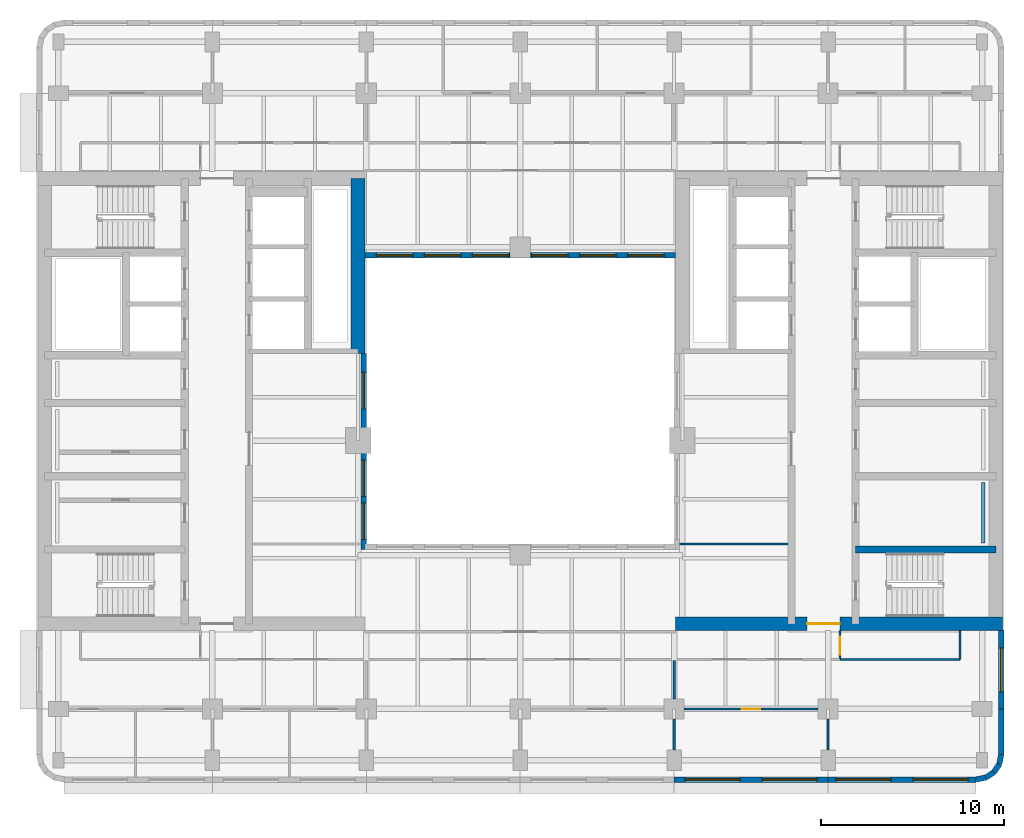
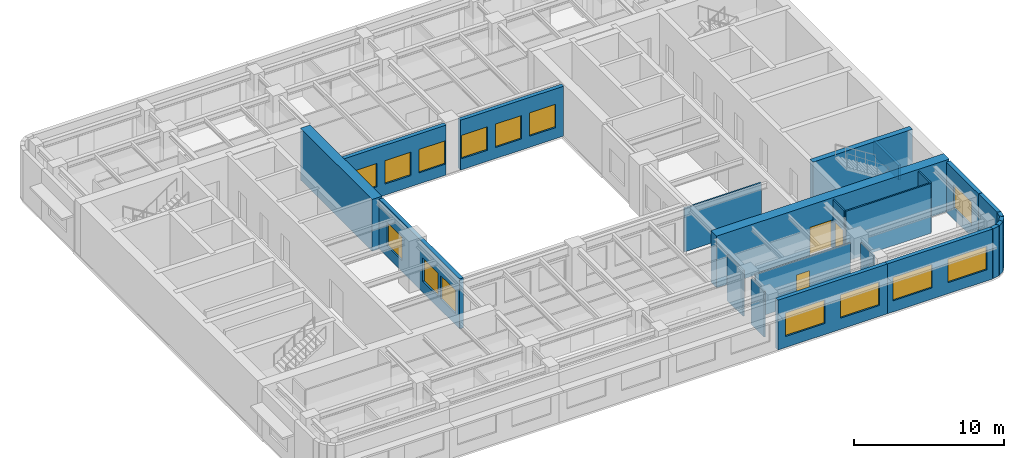
# One storey, part 5 of 11: 23 walls, 14 windows, 3 doors, 17 openings.
"""IFC4 building model written with IfcOpenShell, lengths in metres."""

from ifc_helpers import new_model, si_unit, direction, frame, frame_2d, origin, place, context, subcontext, project, spatial, rectangle, extrude, material, layer, layer_set, type_object, element, fill, save


model = new_model("IFC4")

# Units and contexts
model_context = context("Model", 3, precision=1e-05, world=origin(), true_north=direction((0.0, 1.0)))
body_context = subcontext(model_context, "Body", "Model", "MODEL_VIEW")
ifc_project = project(units=[si_unit("LENGTHUNIT", "METRE"), si_unit("AREAUNIT", "SQUARE_METRE"), si_unit("VOLUMEUNIT", "CUBIC_METRE"), si_unit("PLANEANGLEUNIT", "RADIAN"), si_unit("MASSUNIT", "GRAM", prefix="KILO")], contexts=[model_context])

# Site, building, storey
site_placement = place(None, origin())
site = spatial("IfcSite", under=ifc_project, at=site_placement, CompositionType="ELEMENT")
building_placement = place(site_placement, origin())
building = spatial("IfcBuilding", under=site, at=building_placement, Name="Claustro Exchange Tower", CompositionType="ELEMENT")
storey_placement = place(building_placement, frame((0.0, 0.0, 207.0)))
storey = spatial("IfcBuildingStorey", under=building, at=storey_placement, Name="L47", CompositionType="ELEMENT", Elevation=207.0)

# Wall
ifc_material_1 = material(Name="Laminated glass in aluminium frame", Category="aluminium")
ifc_layer_1 = layer(ifc_material_1, 0.1201171875)
ifc_layer_set_1 = layer_set([ifc_layer_1], Name="Laminated glass in aluminium frame")
wall_type_1 = type_object("IfcWallType", Name="P2 120 glazed partition", PredefinedType="PARTITIONING", material=ifc_layer_set_1)
wall_1_placement = place(storey_placement, frame((33.89794921875, 17.39990234375, 0.0), z_axis=(0.0, 0.0, 1.0), x_axis=(1.0, 0.0, 0.0)))
element("IfcWall", 1, at=wall_1_placement, inside=storey, type_object=wall_type_1, Name="Partition P2 L47", PredefinedType="PARTITIONING", context=body_context, shape_type="SweptSolid", body=[
    extrude(rectangle(XDim=5.904052734375, YDim=0.1201171875, at=frame_2d((2.9521484375, 0.0))), origin(), (0.0, 0.0, 1.0), 3.550048828125),
])

# Wall, opening, door
wall_2_placement = place(storey_placement, frame((34.14892578125, 8.39990234375, 0.0), z_axis=(0.0, 0.0, 1.0), x_axis=(1.0, 0.0, 0.0)))
wall_2 = element("IfcWall", 2, at=wall_2_placement, inside=storey, type_object=wall_type_1, Name="Partition P2 L47", PredefinedType="PARTITIONING", context=body_context, shape_type="SweptSolid", body=[
    extrude(rectangle(XDim=7.302001953125, YDim=0.1201171875, at=frame_2d((3.65087890625, 0.0))), origin(), (0.0, 0.0, 1.0), 3.550048828125),
])
opening_1_placement = place(wall_2_placement, frame((3.15087890625, 0.0, 0.0)))
opening_1 = element("IfcOpeningElement", 3, at=opening_1_placement, cuts=wall_2, Name="Opening D7", PredefinedType="OPENING", context=body_context, shape_type="SweptSolid", body=[
    extrude(rectangle(XDim=1.0, YDim=2.39990234375, at=frame_2d((0.5, 1.199951171875))), frame((0.0, 0.070068359375, 0.0), z_axis=(0.0, -1.0, 0.0), x_axis=(1.0, 0.0, 0.0)), (0.0, 0.0, 1.0), 0.14013671875),
])
ifc_material_2 = material(Name="Glass door in aluminium frame", Category="aluminium")
door_type_1 = type_object("IfcDoorType", Name="D7 1000 x 2400 glazed door", OperationType="SINGLE_SWING_LEFT", PredefinedType="DOOR", material=ifc_material_2)
door_1_placement = place(opening_1_placement, frame((1.0, 0.0, 0.0), z_axis=(0.0, 0.0, 1.0), x_axis=(-1.0, 0.0, 0.0)))
door_1 = element("IfcDoor", 4, at=door_1_placement, inside=storey, type_object=door_type_1, Name="Door D7 L47", OperationType="SINGLE_SWING_RIGHT", OverallHeight=2.39990234375, OverallWidth=1.0, PredefinedType="DOOR", context=body_context, shape_type="SweptSolid", body=[
    extrude(rectangle(XDim=1.0, YDim=2.39990234375, at=frame_2d((0.5, 1.199951171875))), frame((0.0, 0.02490234375, 0.0), z_axis=(0.0, -1.0, 0.0), x_axis=(1.0, 0.0, 0.0)), (0.0, 0.0, 1.0), 0.050048828125),
])
fill(opening_1, door_1)

# Walls
for number, where, z_axis, x_axis, name in (
    (5, (33.60009765625, 6.14892578125, 0.0), (0.0, 0.0, 1.0), (0.0, 1.0, 0.0), "Partition P2 L47"),
    (6, (42.0, 6.14892578125, 0.0), (0.0, 0.0, 1.0), (0.0, 1.0, 0.0), "Partition P2 L47"),
):
    element("IfcWall", number, at=place(storey_placement, frame(where, z_axis=z_axis, x_axis=x_axis)), inside=storey, type_object=wall_type_1, Name=name, PredefinedType="PARTITIONING", context=body_context, shape_type="SweptSolid", body=[
        extrude(rectangle(XDim=1.7021484375, YDim=0.1201171875, at=frame_2d((0.85107421875, 0.0))), origin(), (0.0, 0.0, 1.0), 3.68994140625),
    ])
wall_3_placement = place(storey_placement, frame((33.60009765625, 8.948974609375, 0.0), z_axis=(0.0, 0.0, 1.0), x_axis=(0.0, 1.0, 0.0)))
element("IfcWall", 7, at=wall_3_placement, inside=storey, type_object=wall_type_1, Name="Partition P2 L47", PredefinedType="PARTITIONING", context=body_context, shape_type="SweptSolid", body=[
    extrude(rectangle(XDim=2.093017578125, YDim=0.1201171875, at=frame_2d((1.04638671875, 0.0))), origin(), (0.0, 0.0, 1.0), 3.68994140625),
])

# Wall, opening, door
wall_4_placement = place(storey_placement, frame((42.64990234375, 11.157958984375, 0.0), z_axis=(0.0, 0.0, 1.0), x_axis=(0.0, 1.0, 0.0)))
wall_4 = element("IfcWall", 8, at=wall_4_placement, inside=storey, type_object=wall_type_1, Name="Partition P2 L47", PredefinedType="PARTITIONING", context=body_context, shape_type="SweptSolid", body=[
    extrude(rectangle(XDim=1.51806640625, YDim=0.1201171875, at=frame_2d((0.759033203125, 0.0))), origin(), (0.0, 0.0, 1.0), 4.050048828125),
])
opening_2_placement = place(wall_4_placement, frame((0.19189453125, 0.0, 0.0)))
opening_2 = element("IfcOpeningElement", 9, at=opening_2_placement, cuts=wall_4, Name="Opening D7", PredefinedType="OPENING", context=body_context, shape_type="SweptSolid", body=[
    extrude(rectangle(XDim=1.0, YDim=2.39990234375, at=frame_2d((0.5, 1.199951171875))), frame((0.0, 0.070068359375, 0.0), z_axis=(0.0, -1.0, 0.0), x_axis=(1.0, 0.0, 0.0)), (0.0, 0.0, 1.0), 0.14013671875),
])
door_2_placement = place(opening_2_placement, frame((1.0, 0.0, 0.0), z_axis=(0.0, 0.0, 1.0), x_axis=(-1.0, 0.0, 0.0)))
door_2 = element("IfcDoor", 10, at=door_2_placement, inside=storey, type_object=door_type_1, Name="Door D7 L47", OperationType="SINGLE_SWING_RIGHT", OverallHeight=2.39990234375, OverallWidth=1.0, PredefinedType="DOOR", context=body_context, shape_type="SweptSolid", body=[
    extrude(rectangle(XDim=1.0, YDim=2.39990234375, at=frame_2d((0.5, 1.199951171875))), frame((0.0, 0.02490234375, 0.0), z_axis=(0.0, -1.0, 0.0), x_axis=(1.0, 0.0, 0.0)), (0.0, 0.0, 1.0), 0.050048828125),
])
fill(opening_2, door_2)

# Walls
wall_5_placement = place(storey_placement, frame((42.64794921875, 11.10009765625, 0.0), z_axis=(0.0, 0.0, 1.0), x_axis=(1.0, 0.0, 0.0)))
element("IfcWall", 11, at=wall_5_placement, inside=storey, type_object=wall_type_1, Name="Partition P2 L47", PredefinedType="PARTITIONING", context=body_context, shape_type="SweptSolid", body=[
    extrude(rectangle(XDim=6.552001953125, YDim=0.1201171875, at=frame_2d((3.27587890625, 0.0))), origin(), (0.0, 0.0, 1.0), 4.050048828125),
])
wall_6_placement = place(storey_placement, frame((49.199951171875, 11.10009765625, 0.0), z_axis=(0.0, 0.0, 1.0), x_axis=(0.0, 1.0, 0.0)))
element("IfcWall", 12, at=wall_6_placement, inside=storey, type_object=wall_type_1, Name="Partition P2 L47", PredefinedType="PARTITIONING", context=body_context, shape_type="SweptSolid", body=[
    extrude(rectangle(XDim=1.575927734375, YDim=0.1201171875, at=frame_2d((0.7880859375, 0.0))), origin(), (0.0, 0.0, 1.0), 4.050048828125),
])

# Wall, openings, windows
ifc_material_3 = material(Name="Concrete HA-40 (C40/50), precast, white cement, acid-etched", Category="concrete")
ifc_layer_2 = layer(ifc_material_3, 0.300048828125)
ifc_layer_set_2 = layer_set([ifc_layer_2], Name="Concrete HA-40 (C40/50), precast, white cement, acid-etched")
wall_type_2 = type_object("IfcWallType", Name="PC1 300 precast concrete pier panel", PredefinedType="SOLIDWALL", material=ifc_layer_set_2)
wall_7_placement = place(storey_placement, frame((50.085205078125, 4.550048828125, 0.0), z_axis=(0.0, 0.0, 1.0), x_axis=(-1.0, 0.0, 0.0)))
wall_7 = element("IfcWall", 13, at=wall_7_placement, inside=storey, type_object=wall_type_2, Name="Precast pier panel PC1 L47", PredefinedType="SOLIDWALL", context=body_context, shape_type="SweptSolid", body=[
    extrude(rectangle(XDim=8.085205078125, YDim=0.300048828125, at=frame_2d((4.04248046875, 0.0))), origin(), (0.0, 0.0, 1.0), 4.050048828125),
])
opening_3_placement = place(wall_7_placement, frame((0.442626953125, 0.0, 0.89990234375)))
opening_3 = element("IfcOpeningElement", 14, at=opening_3_placement, cuts=wall_7, Name="Opening W1", PredefinedType="OPENING", context=body_context, shape_type="SweptSolid", body=[
    extrude(rectangle(XDim=3.0, YDim=1.89990234375, at=frame_2d((1.5, 0.949951171875))), frame((0.0, 0.159912109375, 0.0), z_axis=(0.0, -1.0, 0.0), x_axis=(1.0, 0.0, 0.0)), (0.0, 0.0, 1.0), 0.320068359375),
])
opening_4_placement = place(wall_7_placement, frame((4.642578125, 0.0, 0.89990234375)))
opening_4 = element("IfcOpeningElement", 15, at=opening_4_placement, cuts=wall_7, Name="Opening W1", PredefinedType="OPENING", context=body_context, shape_type="SweptSolid", body=[
    extrude(rectangle(XDim=3.0, YDim=1.89990234375, at=frame_2d((1.5, 0.949951171875))), frame((0.0, 0.159912109375, 0.0), z_axis=(0.0, -1.0, 0.0), x_axis=(1.0, 0.0, 0.0)), (0.0, 0.0, 1.0), 0.320068359375),
])
ifc_material_4 = material(Name="Aluminium frame, clear double glazing", Category="aluminium")
window_type_1 = type_object("IfcWindowType", Name="W1 3000 x 1900 window", PartitioningType="SINGLE_PANEL", PredefinedType="WINDOW", material=ifc_material_4)
window_1_placement = place(opening_3_placement, origin())
window_1 = element("IfcWindow", 16, at=window_1_placement, inside=storey, type_object=window_type_1, Name="Window W1 L47", OverallHeight=1.89990234375, OverallWidth=3.0, PartitioningType="SINGLE_PANEL", PredefinedType="WINDOW", context=body_context, shape_type="SweptSolid", body=[
    extrude(rectangle(XDim=3.0, YDim=1.89990234375, at=frame_2d((1.5, 0.949951171875))), frame((0.0, 0.030029296875, 0.0), z_axis=(0.0, -1.0, 0.0), x_axis=(1.0, 0.0, 0.0)), (0.0, 0.0, 1.0), 0.06005859375),
])
fill(opening_3, window_1)
window_2_placement = place(opening_4_placement, origin())
window_2 = element("IfcWindow", 17, at=window_2_placement, inside=storey, type_object=window_type_1, Name="Window W1 L47", OverallHeight=1.89990234375, OverallWidth=3.0, PartitioningType="SINGLE_PANEL", PredefinedType="WINDOW", context=body_context, shape_type="SweptSolid", body=[
    extrude(rectangle(XDim=3.0, YDim=1.89990234375, at=frame_2d((1.5, 0.949951171875))), frame((0.0, 0.030029296875, 0.0), z_axis=(0.0, -1.0, 0.0), x_axis=(1.0, 0.0, 0.0)), (0.0, 0.0, 1.0), 0.06005859375),
])
fill(opening_4, window_2)

wall_8_placement = place(storey_placement, frame((42.0, 4.550048828125, 0.0), z_axis=(0.0, 0.0, 1.0), x_axis=(-1.0, 0.0, 0.0)))
wall_8 = element("IfcWall", 18, at=wall_8_placement, inside=storey, type_object=wall_type_2, Name="Precast pier panel PC1 L47", PredefinedType="SOLIDWALL", context=body_context, shape_type="SweptSolid", body=[
    extrude(rectangle(XDim=8.39990234375, YDim=0.300048828125, at=frame_2d((4.199951171875, 0.0))), origin(), (0.0, 0.0, 1.0), 4.050048828125),
])
opening_5_placement = place(wall_8_placement, frame((0.60009765625, 0.0, 0.89990234375)))
opening_5 = element("IfcOpeningElement", 19, at=opening_5_placement, cuts=wall_8, Name="Opening W1", PredefinedType="OPENING", context=body_context, shape_type="SweptSolid", body=[
    extrude(rectangle(XDim=3.0, YDim=1.89990234375, at=frame_2d((1.5, 0.949951171875))), frame((0.0, 0.159912109375, 0.0), z_axis=(0.0, -1.0, 0.0), x_axis=(1.0, 0.0, 0.0)), (0.0, 0.0, 1.0), 0.320068359375),
])
opening_6_placement = place(wall_8_placement, frame((4.800048828125, 0.0, 0.89990234375)))
opening_6 = element("IfcOpeningElement", 20, at=opening_6_placement, cuts=wall_8, Name="Opening W1", PredefinedType="OPENING", context=body_context, shape_type="SweptSolid", body=[
    extrude(rectangle(XDim=3.0, YDim=1.89990234375, at=frame_2d((1.5, 0.949951171875))), frame((0.0, 0.159912109375, 0.0), z_axis=(0.0, -1.0, 0.0), x_axis=(1.0, 0.0, 0.0)), (0.0, 0.0, 1.0), 0.320068359375),
])
window_3_placement = place(opening_5_placement, origin())
window_3 = element("IfcWindow", 21, at=window_3_placement, inside=storey, type_object=window_type_1, Name="Window W1 L47", OverallHeight=1.89990234375, OverallWidth=3.0, PartitioningType="SINGLE_PANEL", PredefinedType="WINDOW", context=body_context, shape_type="SweptSolid", body=[
    extrude(rectangle(XDim=3.0, YDim=1.89990234375, at=frame_2d((1.5, 0.949951171875))), frame((0.0, 0.030029296875, 0.0), z_axis=(0.0, -1.0, 0.0), x_axis=(1.0, 0.0, 0.0)), (0.0, 0.0, 1.0), 0.06005859375),
])
fill(opening_5, window_3)
window_4_placement = place(opening_6_placement, origin())
window_4 = element("IfcWindow", 22, at=window_4_placement, inside=storey, type_object=window_type_1, Name="Window W1 L47", OverallHeight=1.89990234375, OverallWidth=3.0, PartitioningType="SINGLE_PANEL", PredefinedType="WINDOW", context=body_context, shape_type="SweptSolid", body=[
    extrude(rectangle(XDim=3.0, YDim=1.89990234375, at=frame_2d((1.5, 0.949951171875))), frame((0.0, 0.030029296875, 0.0), z_axis=(0.0, -1.0, 0.0), x_axis=(1.0, 0.0, 0.0)), (0.0, 0.0, 1.0), 0.06005859375),
])
fill(opening_6, window_4)

# Wall, opening, window
wall_9_placement = place(storey_placement, frame((51.449951171875, 12.675048828125, 0.0), z_axis=(0.0, 0.0, 1.0), x_axis=(0.0, -1.0, 0.0)))
wall_9 = element("IfcWall", 23, at=wall_9_placement, inside=storey, type_object=wall_type_2, Name="Precast pier panel PC1 L47", PredefinedType="SOLIDWALL", context=body_context, shape_type="SweptSolid", body=[
    extrude(rectangle(XDim=4.275146484375, YDim=0.300048828125, at=frame_2d((2.1376953125, 0.0))), origin(), (0.0, 0.0, 1.0), 4.050048828125),
])
opening_7_placement = place(wall_9_placement, frame((0.9375, 0.0, 0.89990234375)))
opening_7 = element("IfcOpeningElement", 24, at=opening_7_placement, cuts=wall_9, Name="Opening W2", PredefinedType="OPENING", context=body_context, shape_type="SweptSolid", body=[
    extrude(rectangle(XDim=2.39990234375, YDim=1.89990234375, at=frame_2d((1.199951171875, 0.949951171875))), frame((0.0, 0.159912109375, 0.0), z_axis=(0.0, -1.0, 0.0), x_axis=(1.0, 0.0, 0.0)), (0.0, 0.0, 1.0), 0.320068359375),
])
ifc_material_5 = material(Name="Aluminium frame, clear double glazing", Category="aluminium")
window_type_2 = type_object("IfcWindowType", Name="W2 2400 x 1900 window", PartitioningType="SINGLE_PANEL", PredefinedType="WINDOW", material=ifc_material_5)
window_5_placement = place(opening_7_placement, origin())
window_5 = element("IfcWindow", 25, at=window_5_placement, inside=storey, type_object=window_type_2, Name="Window W2 L47", OverallHeight=1.89990234375, OverallWidth=2.39990234375, PartitioningType="SINGLE_PANEL", PredefinedType="WINDOW", context=body_context, shape_type="SweptSolid", body=[
    extrude(rectangle(XDim=2.39990234375, YDim=1.89990234375, at=frame_2d((1.199951171875, 0.949951171875))), frame((0.0, 0.030029296875, 0.0), z_axis=(0.0, -1.0, 0.0), x_axis=(1.0, 0.0, 0.0)), (0.0, 0.0, 1.0), 0.06005859375),
])
fill(opening_7, window_5)

# Walls
wall_10_placement = place(storey_placement, frame((51.449951171875, 8.39990234375, 0.0), z_axis=(0.0, 0.0, 1.0), x_axis=(0.0, -1.0, 0.0)))
element("IfcWall", 26, at=wall_10_placement, inside=storey, type_object=wall_type_2, Name="Precast pier panel PC1 L47", PredefinedType="SOLIDWALL", context=body_context, shape_type="SweptSolid", body=[
    extrude(rectangle(XDim=2.485107421875, YDim=0.300048828125, at=frame_2d((1.24267578125, 0.0))), origin(), (0.0, 0.0, 1.0), 4.050048828125),
])
wall_11_placement = place(storey_placement, frame((51.449951171875, 5.914794921875, 0.0), z_axis=(0.0, 0.0, 1.0), x_axis=(-0.195073962632, -0.980788534345, 0.0)))
element("IfcWall", 27, at=wall_11_placement, inside=storey, type_object=wall_type_2, Name="Precast pier panel PC1 L47", PredefinedType="SOLIDWALL", context=body_context, shape_type="SweptSolid", body=[
    extrude(rectangle(XDim=0.540771484375, YDim=0.300048828125, at=frame_2d((0.2705078125, 0.0))), origin(), (0.0, 0.0, 1.0), 4.050048828125),
])
for number, where, z_axis, x_axis, name in (
    (28, (51.344482421875, 5.384521484375, 0.0), (0.0, 0.0, 1.0), (-0.555557463938, -0.831478144188, 0.0), "Precast pier panel PC1 L47"),
    (29, (51.052490234375, 4.947509765625, 0.0), (0.0, 0.0, 1.0), (-0.831478144188, -0.555557463938, 0.0), "Precast pier panel PC1 L47"),
):
    element("IfcWall", number, at=place(storey_placement, frame(where, z_axis=z_axis, x_axis=x_axis)), inside=storey, type_object=wall_type_2, Name=name, PredefinedType="SOLIDWALL", context=body_context, shape_type="SweptSolid", body=[
        extrude(rectangle(XDim=0.525634765625, YDim=0.300048828125, at=frame_2d((0.2626953125, 0.0))), origin(), (0.0, 0.0, 1.0), 4.050048828125),
    ])
wall_12_placement = place(storey_placement, frame((50.615478515625, 4.655517578125, 0.0), z_axis=(0.0, 0.0, 1.0), x_axis=(-0.980788534345, -0.195073962632, 0.0)))
element("IfcWall", 30, at=wall_12_placement, inside=storey, type_object=wall_type_2, Name="Precast pier panel PC1 L47", PredefinedType="SOLIDWALL", context=body_context, shape_type="SweptSolid", body=[
    extrude(rectangle(XDim=0.540771484375, YDim=0.300048828125, at=frame_2d((0.2705078125, 0.0))), origin(), (0.0, 0.0, 1.0), 4.050048828125),
])

# Wall, openings, windows
wall_13_placement = place(storey_placement, frame((16.64990234375, 17.10009765625, 0.0), z_axis=(0.0, 0.0, 1.0), x_axis=(0.0, 1.0, 0.0)))
wall_13 = element("IfcWall", 31, at=wall_13_placement, inside=storey, type_object=wall_type_2, Name="Precast pier panel PC1 L47", PredefinedType="SOLIDWALL", context=body_context, shape_type="SweptSolid", body=[
    extrude(rectangle(XDim=10.699951171875, YDim=0.300048828125, at=frame_2d((5.35009765625, 0.0))), origin(), (0.0, 0.0, 1.0), 4.050048828125),
])
opening_8_placement = place(wall_13_placement, frame((0.550048828125, 0.0, 0.89990234375)))
opening_8 = element("IfcOpeningElement", 32, at=opening_8_placement, cuts=wall_13, Name="Opening W4", PredefinedType="OPENING", context=body_context, shape_type="SweptSolid", body=[
    extrude(rectangle(XDim=2.0, YDim=1.89990234375, at=frame_2d((1.0, 0.949951171875))), frame((0.0, 0.159912109375, 0.0), z_axis=(0.0, -1.0, 0.0), x_axis=(1.0, 0.0, 0.0)), (0.0, 0.0, 1.0), 0.320068359375),
])
opening_9_placement = place(wall_13_placement, frame((2.89990234375, 0.0, 0.89990234375)))
opening_9 = element("IfcOpeningElement", 33, at=opening_9_placement, cuts=wall_13, Name="Opening W4", PredefinedType="OPENING", context=body_context, shape_type="SweptSolid", body=[
    extrude(rectangle(XDim=2.0, YDim=1.89990234375, at=frame_2d((1.0, 0.949951171875))), frame((0.0, 0.159912109375, 0.0), z_axis=(0.0, -1.0, 0.0), x_axis=(1.0, 0.0, 0.0)), (0.0, 0.0, 1.0), 0.320068359375),
])
opening_10_placement = place(wall_13_placement, frame((7.675048828125, 0.0, 0.89990234375)))
opening_10 = element("IfcOpeningElement", 34, at=opening_10_placement, cuts=wall_13, Name="Opening W4", PredefinedType="OPENING", context=body_context, shape_type="SweptSolid", body=[
    extrude(rectangle(XDim=2.0, YDim=1.89990234375, at=frame_2d((1.0, 0.949951171875))), frame((0.0, 0.159912109375, 0.0), z_axis=(0.0, -1.0, 0.0), x_axis=(1.0, 0.0, 0.0)), (0.0, 0.0, 1.0), 0.320068359375),
])
ifc_material_6 = material(Name="Aluminium frame, clear double glazing", Category="aluminium")
window_type_3 = type_object("IfcWindowType", Name="W4 2000 x 1900 light well window", PartitioningType="SINGLE_PANEL", PredefinedType="WINDOW", material=ifc_material_6)
window_6_placement = place(opening_8_placement, origin())
window_6 = element("IfcWindow", 35, at=window_6_placement, inside=storey, type_object=window_type_3, Name="Window W4 L47", OverallHeight=1.89990234375, OverallWidth=2.0, PartitioningType="SINGLE_PANEL", PredefinedType="WINDOW", context=body_context, shape_type="SweptSolid", body=[
    extrude(rectangle(XDim=2.0, YDim=1.89990234375, at=frame_2d((1.0, 0.949951171875))), frame((0.0, 0.030029296875, 0.0), z_axis=(0.0, -1.0, 0.0), x_axis=(1.0, 0.0, 0.0)), (0.0, 0.0, 1.0), 0.06005859375),
])
fill(opening_8, window_6)
window_7_placement = place(opening_9_placement, origin())
window_7 = element("IfcWindow", 36, at=window_7_placement, inside=storey, type_object=window_type_3, Name="Window W4 L47", OverallHeight=1.89990234375, OverallWidth=2.0, PartitioningType="SINGLE_PANEL", PredefinedType="WINDOW", context=body_context, shape_type="SweptSolid", body=[
    extrude(rectangle(XDim=2.0, YDim=1.89990234375, at=frame_2d((1.0, 0.949951171875))), frame((0.0, 0.030029296875, 0.0), z_axis=(0.0, -1.0, 0.0), x_axis=(1.0, 0.0, 0.0)), (0.0, 0.0, 1.0), 0.06005859375),
])
fill(opening_9, window_7)
window_8_placement = place(opening_10_placement, origin())
window_8 = element("IfcWindow", 37, at=window_8_placement, inside=storey, type_object=window_type_3, Name="Window W4 L47", OverallHeight=1.89990234375, OverallWidth=2.0, PartitioningType="SINGLE_PANEL", PredefinedType="WINDOW", context=body_context, shape_type="SweptSolid", body=[
    extrude(rectangle(XDim=2.0, YDim=1.89990234375, at=frame_2d((1.0, 0.949951171875))), frame((0.0, 0.030029296875, 0.0), z_axis=(0.0, -1.0, 0.0), x_axis=(1.0, 0.0, 0.0)), (0.0, 0.0, 1.0), 0.06005859375),
])
fill(opening_10, window_8)

wall_14_placement = place(storey_placement, frame((16.72509765625, 33.14990234375, 0.0), z_axis=(0.0, 0.0, 1.0), x_axis=(1.0, 0.0, 0.0)))
wall_14 = element("IfcWall", 38, at=wall_14_placement, inside=storey, type_object=wall_type_2, Name="Precast pier panel PC1 L47", PredefinedType="SOLIDWALL", context=body_context, shape_type="SweptSolid", body=[
    extrude(rectangle(XDim=7.9248046875, YDim=0.300048828125, at=frame_2d((3.96240234375, 0.0))), origin(), (0.0, 0.0, 1.0), 4.050048828125),
])
opening_11_placement = place(wall_14_placement, frame((0.61865234375, 0.0, 0.89990234375)))
opening_11 = element("IfcOpeningElement", 39, at=opening_11_placement, cuts=wall_14, Name="Opening W4", PredefinedType="OPENING", context=body_context, shape_type="SweptSolid", body=[
    extrude(rectangle(XDim=2.0, YDim=1.89990234375, at=frame_2d((1.0, 0.949951171875))), frame((0.0, 0.159912109375, 0.0), z_axis=(0.0, -1.0, 0.0), x_axis=(1.0, 0.0, 0.0)), (0.0, 0.0, 1.0), 0.320068359375),
])
opening_12_placement = place(wall_14_placement, frame((3.237548828125, 0.0, 0.89990234375)))
opening_12 = element("IfcOpeningElement", 40, at=opening_12_placement, cuts=wall_14, Name="Opening W4", PredefinedType="OPENING", context=body_context, shape_type="SweptSolid", body=[
    extrude(rectangle(XDim=2.0, YDim=1.89990234375, at=frame_2d((1.0, 0.949951171875))), frame((0.0, 0.159912109375, 0.0), z_axis=(0.0, -1.0, 0.0), x_axis=(1.0, 0.0, 0.0)), (0.0, 0.0, 1.0), 0.320068359375),
])
opening_13_placement = place(wall_14_placement, frame((5.856201171875, 0.0, 0.89990234375)))
opening_13 = element("IfcOpeningElement", 41, at=opening_13_placement, cuts=wall_14, Name="Opening W4", PredefinedType="OPENING", context=body_context, shape_type="SweptSolid", body=[
    extrude(rectangle(XDim=2.0, YDim=1.89990234375, at=frame_2d((1.0, 0.949951171875))), frame((0.0, 0.159912109375, 0.0), z_axis=(0.0, -1.0, 0.0), x_axis=(1.0, 0.0, 0.0)), (0.0, 0.0, 1.0), 0.320068359375),
])
window_9_placement = place(opening_11_placement, origin())
window_9 = element("IfcWindow", 42, at=window_9_placement, inside=storey, type_object=window_type_3, Name="Window W4 L47", OverallHeight=1.89990234375, OverallWidth=2.0, PartitioningType="SINGLE_PANEL", PredefinedType="WINDOW", context=body_context, shape_type="SweptSolid", body=[
    extrude(rectangle(XDim=2.0, YDim=1.89990234375, at=frame_2d((1.0, 0.949951171875))), frame((0.0, 0.030029296875, 0.0), z_axis=(0.0, -1.0, 0.0), x_axis=(1.0, 0.0, 0.0)), (0.0, 0.0, 1.0), 0.06005859375),
])
fill(opening_11, window_9)
window_10_placement = place(opening_12_placement, origin())
window_10 = element("IfcWindow", 43, at=window_10_placement, inside=storey, type_object=window_type_3, Name="Window W4 L47", OverallHeight=1.89990234375, OverallWidth=2.0, PartitioningType="SINGLE_PANEL", PredefinedType="WINDOW", context=body_context, shape_type="SweptSolid", body=[
    extrude(rectangle(XDim=2.0, YDim=1.89990234375, at=frame_2d((1.0, 0.949951171875))), frame((0.0, 0.030029296875, 0.0), z_axis=(0.0, -1.0, 0.0), x_axis=(1.0, 0.0, 0.0)), (0.0, 0.0, 1.0), 0.06005859375),
])
fill(opening_12, window_10)
window_11_placement = place(opening_13_placement, origin())
window_11 = element("IfcWindow", 44, at=window_11_placement, inside=storey, type_object=window_type_3, Name="Window W4 L47", OverallHeight=1.89990234375, OverallWidth=2.0, PartitioningType="SINGLE_PANEL", PredefinedType="WINDOW", context=body_context, shape_type="SweptSolid", body=[
    extrude(rectangle(XDim=2.0, YDim=1.89990234375, at=frame_2d((1.0, 0.949951171875))), frame((0.0, 0.030029296875, 0.0), z_axis=(0.0, -1.0, 0.0), x_axis=(1.0, 0.0, 0.0)), (0.0, 0.0, 1.0), 0.06005859375),
])
fill(opening_13, window_11)

wall_15_placement = place(storey_placement, frame((25.75, 33.14990234375, 0.0), z_axis=(0.0, 0.0, 1.0), x_axis=(1.0, 0.0, 0.0)))
wall_15 = element("IfcWall", 45, at=wall_15_placement, inside=storey, type_object=wall_type_2, Name="Precast pier panel PC1 L47", PredefinedType="SOLIDWALL", context=body_context, shape_type="SweptSolid", body=[
    extrude(rectangle(XDim=7.925048828125, YDim=0.300048828125, at=frame_2d((3.96240234375, 0.0))), origin(), (0.0, 0.0, 1.0), 4.050048828125),
])
opening_14_placement = place(wall_15_placement, frame((0.068603515625, 0.0, 0.89990234375)))
opening_14 = element("IfcOpeningElement", 46, at=opening_14_placement, cuts=wall_15, Name="Opening W4", PredefinedType="OPENING", context=body_context, shape_type="SweptSolid", body=[
    extrude(rectangle(XDim=2.0, YDim=1.89990234375, at=frame_2d((1.0, 0.949951171875))), frame((0.0, 0.159912109375, 0.0), z_axis=(0.0, -1.0, 0.0), x_axis=(1.0, 0.0, 0.0)), (0.0, 0.0, 1.0), 0.320068359375),
])
opening_15_placement = place(wall_15_placement, frame((2.6875, 0.0, 0.89990234375)))
opening_15 = element("IfcOpeningElement", 47, at=opening_15_placement, cuts=wall_15, Name="Opening W4", PredefinedType="OPENING", context=body_context, shape_type="SweptSolid", body=[
    extrude(rectangle(XDim=2.0, YDim=1.89990234375, at=frame_2d((1.0, 0.949951171875))), frame((0.0, 0.159912109375, 0.0), z_axis=(0.0, -1.0, 0.0), x_axis=(1.0, 0.0, 0.0)), (0.0, 0.0, 1.0), 0.320068359375),
])
opening_16_placement = place(wall_15_placement, frame((5.30615234375, 0.0, 0.89990234375)))
opening_16 = element("IfcOpeningElement", 48, at=opening_16_placement, cuts=wall_15, Name="Opening W4", PredefinedType="OPENING", context=body_context, shape_type="SweptSolid", body=[
    extrude(rectangle(XDim=2.0, YDim=1.89990234375, at=frame_2d((1.0, 0.949951171875))), frame((0.0, 0.159912109375, 0.0), z_axis=(0.0, -1.0, 0.0), x_axis=(1.0, 0.0, 0.0)), (0.0, 0.0, 1.0), 0.320068359375),
])
window_12_placement = place(opening_14_placement, origin())
window_12 = element("IfcWindow", 49, at=window_12_placement, inside=storey, type_object=window_type_3, Name="Window W4 L47", OverallHeight=1.89990234375, OverallWidth=2.0, PartitioningType="SINGLE_PANEL", PredefinedType="WINDOW", context=body_context, shape_type="SweptSolid", body=[
    extrude(rectangle(XDim=2.0, YDim=1.89990234375, at=frame_2d((1.0, 0.949951171875))), frame((0.0, 0.030029296875, 0.0), z_axis=(0.0, -1.0, 0.0), x_axis=(1.0, 0.0, 0.0)), (0.0, 0.0, 1.0), 0.06005859375),
])
fill(opening_14, window_12)
window_13_placement = place(opening_15_placement, origin())
window_13 = element("IfcWindow", 50, at=window_13_placement, inside=storey, type_object=window_type_3, Name="Window W4 L47", OverallHeight=1.89990234375, OverallWidth=2.0, PartitioningType="SINGLE_PANEL", PredefinedType="WINDOW", context=body_context, shape_type="SweptSolid", body=[
    extrude(rectangle(XDim=2.0, YDim=1.89990234375, at=frame_2d((1.0, 0.949951171875))), frame((0.0, 0.030029296875, 0.0), z_axis=(0.0, -1.0, 0.0), x_axis=(1.0, 0.0, 0.0)), (0.0, 0.0, 1.0), 0.06005859375),
])
fill(opening_15, window_13)
window_14_placement = place(opening_16_placement, origin())
window_14 = element("IfcWindow", 51, at=window_14_placement, inside=storey, type_object=window_type_3, Name="Window W4 L47", OverallHeight=1.89990234375, OverallWidth=2.0, PartitioningType="SINGLE_PANEL", PredefinedType="WINDOW", context=body_context, shape_type="SweptSolid", body=[
    extrude(rectangle(XDim=2.0, YDim=1.89990234375, at=frame_2d((1.0, 0.949951171875))), frame((0.0, 0.030029296875, 0.0), z_axis=(0.0, -1.0, 0.0), x_axis=(1.0, 0.0, 0.0)), (0.0, 0.0, 1.0), 0.06005859375),
])
fill(opening_16, window_14)

# Wall
ifc_material_7 = material(Name="Gypsum board on steel studs, tiled", Category="steel")
ifc_layer_3 = layer(ifc_material_7, 0.199951171875)
ifc_layer_set_3 = layer_set([ifc_layer_3], Name="Gypsum board on steel studs, tiled")
wall_type_3 = type_object("IfcWallType", Name="PW1 200 WC duct wall", PredefinedType="PLUMBINGWALL", material=ifc_layer_set_3)
wall_16_placement = place(storey_placement, frame((50.47509765625, 17.449951171875, 0.0), z_axis=(0.0, 0.0, 1.0), x_axis=(0.0, 1.0, 0.0)))
element("IfcWall", 52, at=wall_16_placement, inside=storey, type_object=wall_type_3, Name="WC duct wall PW1 L47", PredefinedType="PLUMBINGWALL", context=body_context, shape_type="SweptSolid", body=[
    extrude(rectangle(XDim=3.300048828125, YDim=0.199951171875, at=frame_2d((1.64990234375, 0.0))), origin(), (0.0, 0.0, 1.0), 1.199951171875),
])

# Wall, opening, door
ifc_material_8 = material(Name="Concrete HA-70 (C70/85)", Category="concrete")
ifc_layer_4 = layer(ifc_material_8, 0.75)
ifc_layer_set_4 = layer_set([ifc_layer_4], Name="Concrete HA-70 (C70/85)")
wall_type_4 = type_object("IfcWallType", Name="SW2 750 core shear wall", PredefinedType="SHEAR", material=ifc_layer_set_4)
wall_17_placement = place(storey_placement, frame((33.675048828125, 13.050048828125, 0.0), z_axis=(0.0, 0.0, 1.0), x_axis=(1.0, 0.0, 0.0)))
wall_17 = element("IfcWall", 53, at=wall_17_placement, inside=storey, type_object=wall_type_4, Name="Core wall SW2 E core S face L47", PredefinedType="SHEAR", context=body_context, shape_type="SweptSolid", body=[
    extrude(rectangle(XDim=17.849853515625, YDim=0.75, at=frame_2d((8.9248046875, 0.0))), origin(), (0.0, 0.0, 1.0), 4.199951171875),
])
opening_17_placement = place(wall_17_placement, frame((7.175048828125, 0.0, 0.0)))
opening_17 = element("IfcOpeningElement", 54, at=opening_17_placement, cuts=wall_17, Name="Opening D3", PredefinedType="OPENING", context=body_context, shape_type="SweptSolid", body=[
    extrude(rectangle(XDim=1.800048828125, YDim=2.39990234375, at=frame_2d((0.89990234375, 1.199951171875))), frame((0.0, 0.385009765625, 0.0), z_axis=(0.0, -1.0, 0.0), x_axis=(1.0, 0.0, 0.0)), (0.0, 0.0, 1.0), 0.77001953125),
])
ifc_material_9 = material(Name="Steel fire door, painted", Category="steel")
door_type_2 = type_object("IfcDoorType", Name="D3 1800 x 2400 fire-rated lobby double door", OperationType="DOUBLE_DOOR_SINGLE_SWING", PredefinedType="DOOR", material=ifc_material_9)
door_3_placement = place(opening_17_placement, origin())
door_3 = element("IfcDoor", 55, at=door_3_placement, inside=storey, type_object=door_type_2, Name="Lift lobby door D3 L47", OperationType="DOUBLE_DOOR_SINGLE_SWING", OverallHeight=2.39990234375, OverallWidth=1.800048828125, PredefinedType="DOOR", context=body_context, shape_type="SweptSolid", body=[
    extrude(rectangle(XDim=1.800048828125, YDim=2.39990234375, at=frame_2d((0.89990234375, 1.199951171875))), frame((0.0, 0.02490234375, 0.0), z_axis=(0.0, -1.0, 0.0), x_axis=(1.0, 0.0, 0.0)), (0.0, 0.0, 1.0), 0.050048828125),
])
fill(opening_17, door_3)

# Walls
ifc_material_10 = material(Name="Concrete HA-70 (C70/85)", Category="concrete")
ifc_layer_5 = layer(ifc_material_10, 0.75)
ifc_layer_set_5 = layer_set([ifc_layer_5], Name="Concrete HA-70 (C70/85)")
wall_type_5 = type_object("IfcWallType", Name="SW2X 750 exposed core shear wall, board-marked face", PredefinedType="SHEAR", material=ifc_layer_set_5)
wall_18_placement = place(storey_placement, frame((16.35009765625, 27.800048828125, 0.0), z_axis=(0.0, 0.0, 1.0), x_axis=(0.0, 1.0, 0.0)))
element("IfcWall", 56, at=wall_18_placement, inside=storey, type_object=wall_type_5, Name="Core wall SW2X W core E face L47", PredefinedType="SHEAR", context=body_context, shape_type="SweptSolid", body=[
    extrude(rectangle(XDim=9.550048828125, YDim=0.75, at=frame_2d((4.77490234375, 0.0))), origin(), (0.0, 0.0, 1.0), 4.199951171875),
])
ifc_material_11 = material(Name="Concrete HA-50 (C50/60)", Category="concrete")
ifc_layer_6 = layer(ifc_material_11, 0.39990234375)
ifc_layer_set_6 = layer_set([ifc_layer_6], Name="Concrete HA-50 (C50/60)")
wall_type_6 = type_object("IfcWallType", Name="SW4 400 internal core wall", PredefinedType="SHEAR", material=ifc_layer_set_6)
wall_19_placement = place(storey_placement, frame((51.14990234375, 17.10009765625, 0.0), z_axis=(0.0, 0.0, 1.0), x_axis=(-1.0, 0.0, 0.0)))
element("IfcWall", 57, at=wall_19_placement, inside=storey, type_object=wall_type_6, Name="Internal core wall SW4 E core L47", PredefinedType="SHEAR", context=body_context, shape_type="SweptSolid", body=[
    extrude(rectangle(XDim=7.64990234375, YDim=0.39990234375, at=frame_2d((3.824951171875, 0.0))), origin(), (0.0, 0.0, 1.0), 4.199951171875),
])

save(model, "model.ifc")
